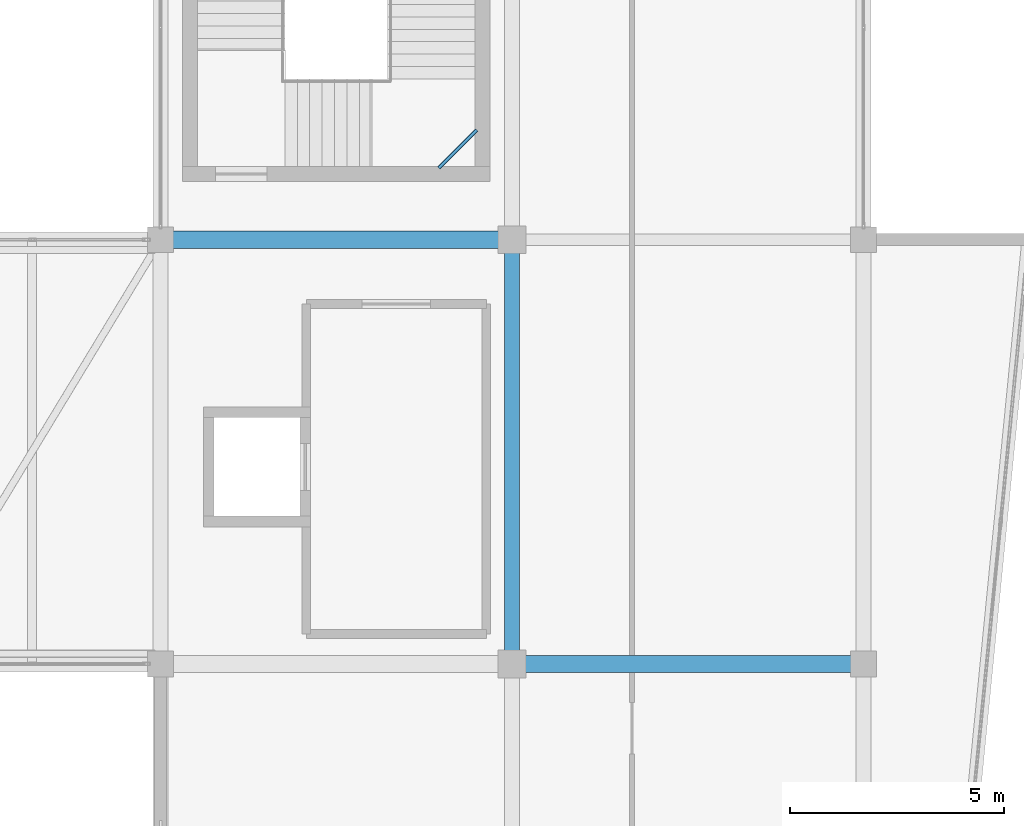
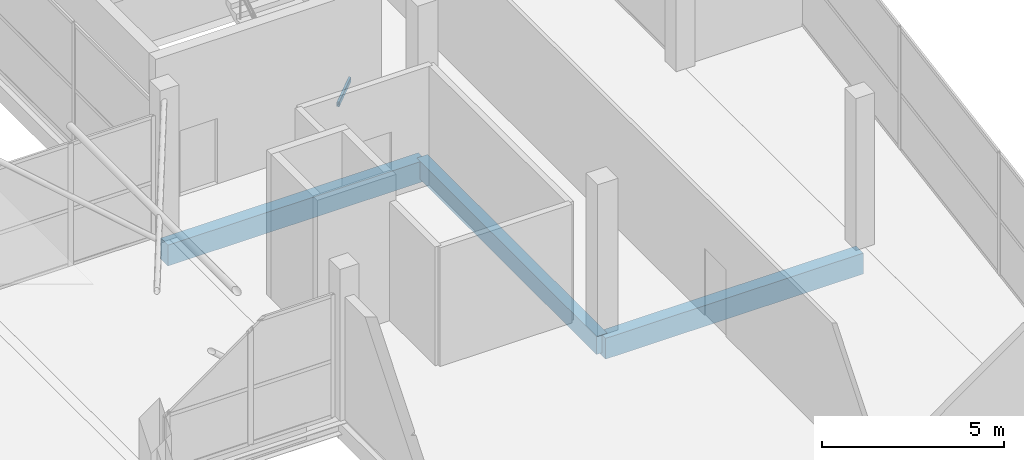
# One storey, part 16 of 66: 4 beams.
"""IFC4 building model written with IfcOpenShell, lengths in metres."""

from ifc_helpers import new_model, si_unit, direction, frame, origin, origin_2d, place, context, subcontext, project, spatial, rectangle, hollow_rectangle, extrude, material, material_profile, profile_set, type_object, element, save


model = new_model("IFC4")

# Units and contexts
model_context = context("Model", 3, precision=1e-05, world=origin(), true_north=direction((0.0, 1.0)))
body_context = subcontext(model_context, "Body", "Model", "MODEL_VIEW")
ifc_project = project(units=[si_unit("LENGTHUNIT", "METRE"), si_unit("AREAUNIT", "SQUARE_METRE"), si_unit("VOLUMEUNIT", "CUBIC_METRE"), si_unit("PLANEANGLEUNIT", "RADIAN"), si_unit("MASSUNIT", "GRAM", prefix="KILO")], contexts=[model_context])

# Site, building, storey
site_placement = place(None, origin())
site = spatial("IfcSite", under=ifc_project, at=site_placement, CompositionType="ELEMENT")
building_placement = place(site_placement, origin())
building = spatial("IfcBuilding", under=site, at=building_placement, Name="Sillaruma Civic Art Gallery", CompositionType="ELEMENT")
storey_placement = place(building_placement, frame((0.0, 0.0, 57.1201171875)))
storey = spatial("IfcBuildingStorey", under=building, at=storey_placement, Name="L11", CompositionType="ELEMENT", Elevation=57.1201171875)

# Beams
ifc_material_1 = material(Name="Concrete H35 (35 MPa)", Category="concrete")
ifc_material_profile_1 = material_profile(ifc_material_1, rectangle(XDim=0.35009765625, YDim=0.60009765625, at=origin_2d()), Name="RCB350x600")
ifc_profile_set_1 = profile_set([ifc_material_profile_1], Name="Concrete H35 (35 MPa)")
beam_type_1 = type_object("IfcBeamType", Name="BM-BEAM-RCB350x600", PredefinedType="BEAM", material=ifc_profile_set_1)
beam_1_placement = place(storey_placement, frame((106.199951171875, 39.60009765625, -0.550048828125), z_axis=(0.0, 1.0, 0.0), x_axis=(-1.0, 0.0, 0.0)))
element("IfcBeam", 1, at=beam_1_placement, inside=storey, type_object=beam_type_1, Name="Beam BM-06 (L10:M:5-6)", PredefinedType="BEAM", context=body_context, shape_type="SweptSolid", body=[
    extrude(rectangle(XDim=0.35009765625, YDim=0.60009765625, at=origin_2d()), origin(), (0.0, 0.0, 1.0), 9.89990234375),
])
ifc_material_profile_2 = material_profile(ifc_material_1, rectangle(XDim=0.39990234375, YDim=0.699951171875, at=origin_2d()), Name="RCB400x700")
ifc_profile_set_2 = profile_set([ifc_material_profile_2], Name="Concrete H35 (35 MPa)")
beam_type_2 = type_object("IfcBeamType", Name="BM-BEAM-RCB400x700", PredefinedType="BEAM", material=ifc_profile_set_2)
for number, where, z_axis, x_axis, name in (
    (2, (106.199951171875, 39.60009765625, -0.60009765625), (1.0, 0.0, 0.0), (0.0, 1.0, 0.0), "Beam BM-04 (L10:5:M-N)"),
    (3, (98.0, 49.5, -0.60009765625), (1.0, 0.0, 0.0), (0.0, 1.0, 0.0), "Beam BM-04 (L10:6:L-M)"),
):
    element("IfcBeam", number, at=place(storey_placement, frame(where, z_axis=z_axis, x_axis=x_axis)), inside=storey, type_object=beam_type_2, Name=name, PredefinedType="BEAM", context=body_context, shape_type="SweptSolid", body=[
        extrude(rectangle(XDim=0.39990234375, YDim=0.699951171875, at=origin_2d()), origin(), (0.0, 0.0, 1.0), 8.199951171875),
    ])
ifc_material_2 = material(Name="Structural Steel ASTM A500 Gr.C", Category="steel")
ifc_material_profile_3 = material_profile(ifc_material_2, hollow_rectangle(XDim=0.080078125, YDim=0.159912109375, WallThickness=0.008056640625, InnerFilletRadius=0.008056640625, OuterFilletRadius=0.01611328125, at=origin_2d()), Name="HSS160x80x8")
ifc_profile_set_3 = profile_set([ifc_material_profile_3], Name="Structural Steel ASTM A500 Gr.C")
beam_type_3 = type_object("IfcBeamType", Name="BM-LND-HSS160", PredefinedType="BEAM", material=ifc_profile_set_3)
beam_2_placement = place(storey_placement, frame((104.489990234375, 51.169921875, 1.079833984375), z_axis=(0.707009791025, 0.707203758046, 0.0), x_axis=(-0.707203758046, 0.707009791025, 0.0)))
element("IfcBeam", 4, at=beam_2_placement, inside=storey, type_object=beam_type_3, Name="Stair Corner Landing Trimmer Beam (ST-04-L11-1)", PredefinedType="BEAM", context=body_context, shape_type="SweptSolid", body=[
    extrude(hollow_rectangle(XDim=0.080078125, YDim=0.159912109375, WallThickness=0.008056640625, InnerFilletRadius=0.008056640625, OuterFilletRadius=0.01611328125, at=origin_2d()), origin(), (0.0, 0.0, 1.0), 1.2587890625),
])

save(model, "model.ifc")
